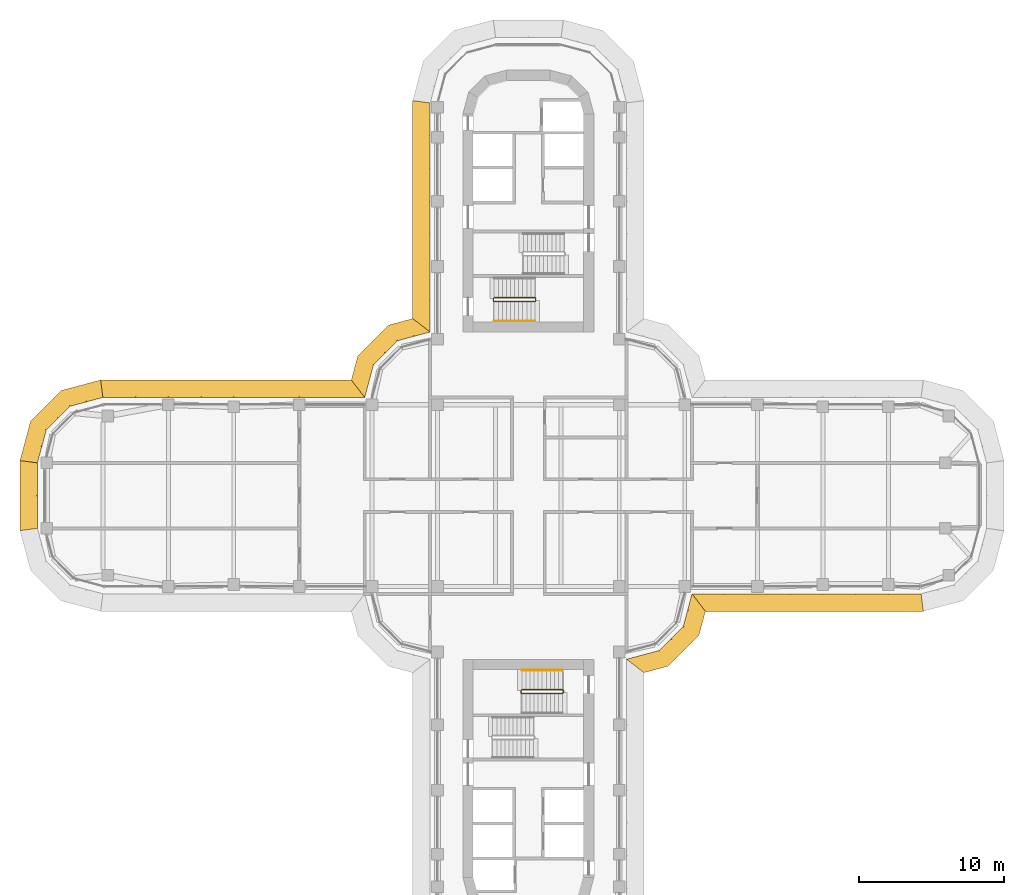
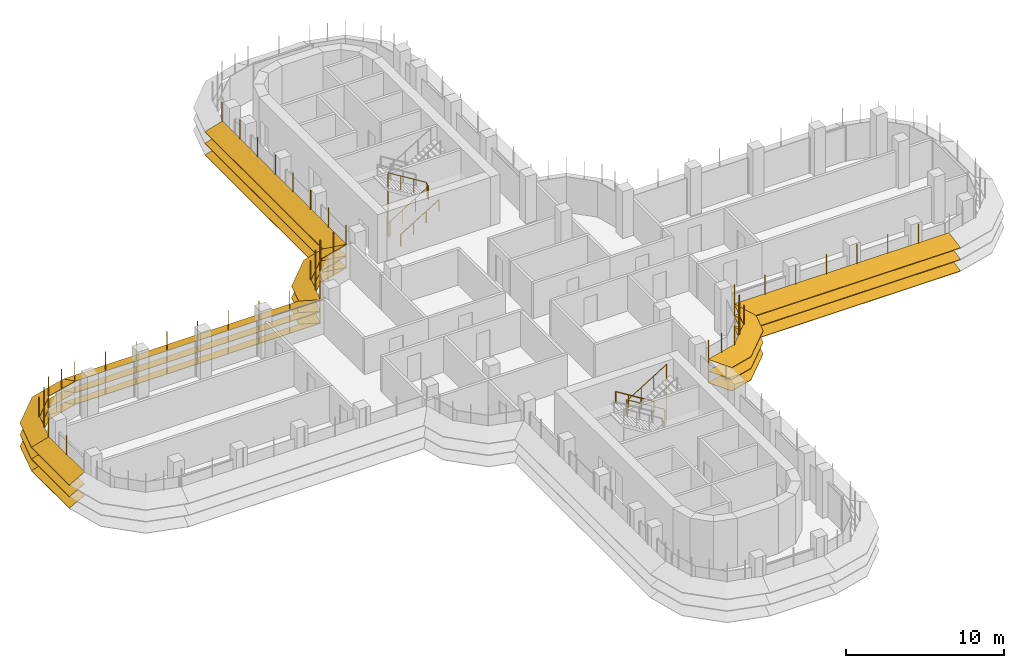
# One storey, part 18 of 20: 7 shading devices, 4 railings.
"""IFC4 building model written with IfcOpenShell, lengths in metres."""

import ifcopenshell
import ifcopenshell.guid

model = None  # the IFC model being written
_history = None  # IfcOwnerHistory: only IFC2X3 demands one
_inside = {}  # id of a spatial element -> (the spatial element, [elements in it])
_under = {}  # id of a project, library or spatial element -> (it, [spatial elements below it])
_declared = {}  # id of a project -> (the project, [libraries it declares])
_typed = {}  # id of a type object -> (the type object, [elements of that type])
_made_of = {}  # id of a material, layer set ... -> (it, [elements and type objects made of it])


def new_model(schema):
    """Start an empty IFC model of exactly this schema.

    Asked for "IFC4X3", IfcOpenShell would pick the latest addendum, in which some entities
    have other attributes; the version numbers below select the first issue.
    IFC2X3 requires an IfcOwnerHistory on every rooted entity: one is made here for all.
    """
    global model, _history
    if schema == "IFC4X3":
        model = ifcopenshell.file(schema_version=(4, 3, 0, 0))
    else:
        model = ifcopenshell.file(schema=schema)
    _inside.clear()
    _under.clear()
    _declared.clear()
    _typed.clear()
    _made_of.clear()
    _history = None
    if model.schema == "IFC2X3":
        org = make("IfcOrganization", Name="unknown")
        user = make(
            "IfcPersonAndOrganization",
            ThePerson=make("IfcPerson", FamilyName="unknown"),
            TheOrganization=org,
        )
        app = make(
            "IfcApplication",
            ApplicationDeveloper=org,
            Version="unknown",
            ApplicationFullName="unknown",
            ApplicationIdentifier="unknown",
        )
        _history = make(
            "IfcOwnerHistory",
            OwningUser=user,
            OwningApplication=app,
            ChangeAction="ADDED",
            CreationDate=0,
        )
    return model


def make(cls, **values):
    """One entity of the class cls with the attributes given. An attribute that is None is left unset."""
    return model.create_entity(
        cls, **{name: value for name, value in values.items() if value is not None}
    )


def rooted(cls, **values):
    """An entity with a GlobalId (a new one), such as an element, a storey or a relation."""
    return make(cls, GlobalId=ifcopenshell.guid.new(), OwnerHistory=_history, **values)


def si_unit(unit_type, name, prefix=None):
    """IfcSIUnit, for example si_unit("LENGTHUNIT", "METRE", prefix="MILLI")."""
    return make("IfcSIUnit", UnitType=unit_type, Prefix=prefix, Name=name)


def assignment(units):
    """IfcUnitAssignment: the units of a project."""
    return None if units is None else make("IfcUnitAssignment", Units=units)


def point(xyz):
    """IfcCartesianPoint."""
    return None if xyz is None else make("IfcCartesianPoint", Coordinates=xyz)


def direction(xyz):
    """IfcDirection."""
    return None if xyz is None else make("IfcDirection", DirectionRatios=xyz)


def frame(location, z_axis=None, x_axis=None):
    """IfcAxis2Placement3D, a coordinate frame: its origin and axes. An axis left out is left unset."""
    return make(
        "IfcAxis2Placement3D",
        Location=point(location),
        Axis=direction(z_axis),
        RefDirection=direction(x_axis),
    )


def frame_2d(location, x_axis=None):
    """IfcAxis2Placement2D, a coordinate frame in the plane: its origin and x axis."""
    return make(
        "IfcAxis2Placement2D", Location=point(location), RefDirection=direction(x_axis)
    )


def origin():
    """The frame at (0, 0, 0) with its axes left unset."""
    return frame((0.0, 0.0, 0.0))


def origin_2d():
    """The frame at (0, 0) in the plane with its x axis left unset."""
    return frame_2d((0.0, 0.0))


def place(relative_to, where):
    """IfcLocalPlacement: puts the frame where relative to a parent placement (None: the world)."""
    return make(
        "IfcLocalPlacement", PlacementRelTo=relative_to, RelativePlacement=where
    )


def context(
    kind, dimensions, precision=None, world=None, true_north=None, identifier=None
):
    """IfcGeometricRepresentationContext, for example the 3D "Model" context."""
    return make(
        "IfcGeometricRepresentationContext",
        ContextIdentifier=identifier,
        ContextType=kind,
        CoordinateSpaceDimension=dimensions,
        Precision=precision,
        WorldCoordinateSystem=world,
        TrueNorth=true_north,
    )


def subcontext(parent, identifier, kind, view, scale=None):
    """IfcGeometricRepresentationSubContext, for example "Body" below "Model"."""
    return make(
        "IfcGeometricRepresentationSubContext",
        ContextIdentifier=identifier,
        ContextType=kind,
        ParentContext=parent,
        TargetScale=scale,
        TargetView=view,
    )


def project(units=None, contexts=None):
    """IfcProject with its units and contexts."""
    return rooted(
        "IfcProject",
        Name="project",
        RepresentationContexts=contexts,
        UnitsInContext=assignment(units),
    )


def spatial(cls, under=None, at=None, **own):
    """A site, building, storey or space (cls), placed at a placement, below another one or the project."""
    s = rooted(cls, ObjectPlacement=at, **own)
    if under is not None:
        _under.setdefault(under.id(), (under, []))[1].append(s)
    return s


def polyline(points):
    """IfcPolyline through the points."""
    return make("IfcPolyline", Points=[point(p) for p in points])


def profile(cls, at=None, kind="AREA", **sizes):
    """A parametric profile (cls). Its sizes go by their IFC names, for example OverallWidth=200.0."""
    return make(cls, ProfileType=kind, Position=at, **sizes)


def circle(**sizes):
    """IfcCircleProfileDef."""
    return profile("IfcCircleProfileDef", **sizes)


def outline(outer, holes=None, kind="AREA"):
    """IfcArbitraryClosedProfileDef: a profile drawn as a closed curve; with holes, ...WithVoids."""
    if holes is None:
        return make("IfcArbitraryClosedProfileDef", ProfileType=kind, OuterCurve=outer)
    return make(
        "IfcArbitraryProfileDefWithVoids",
        ProfileType=kind,
        OuterCurve=outer,
        InnerCurves=holes,
    )


def extrude(swept, where, along, depth):
    """IfcExtrudedAreaSolid: the profile swept, set in the frame where, extruded along a direction by depth."""
    return make(
        "IfcExtrudedAreaSolid",
        SweptArea=swept,
        Position=where,
        ExtrudedDirection=direction(along),
        Depth=depth,
    )


def faces_of(points, faces, orient=None, outer=None):
    """IfcFace entities. A face is a list of loops; a loop is a list of indices into points, from 0.

    orient and outer hold one flag for each loop. By default every Orientation is true, the
    first loop of a face is its IfcFaceOuterBound and the others are IfcFaceBound.
    """
    made = []
    for i, loops in enumerate(faces):
        bounds = []
        for j, loop in enumerate(loops):
            is_outer = j == 0 if outer is None else outer[i][j]
            bounds.append(
                make(
                    "IfcFaceOuterBound" if is_outer else "IfcFaceBound",
                    Bound=make("IfcPolyLoop", Polygon=[points[k] for k in loop]),
                    Orientation=True if orient is None else orient[i][j],
                )
            )
        made.append(make("IfcFace", Bounds=bounds))
    return made


def faceted_brep(points, faces, orient=None, outer=None, voids=None):
    """IfcFacetedBrep: a solid bounded by flat faces; with voids (closed shells), ...WithVoids."""
    shared = [point(p) for p in points]
    hull = make("IfcClosedShell", CfsFaces=faces_of(shared, faces, orient, outer))
    if voids is None:
        return make("IfcFacetedBrep", Outer=hull)
    return make(
        "IfcFacetedBrepWithVoids",
        Outer=hull,
        Voids=[
            make(cls, CfsFaces=faces_of(shared, fs, o, b)) for cls, fs, o, b in voids
        ],
    )


def shape(context_of_items, identifier, shape_type, items):
    """IfcShapeRepresentation: the items that make up one representation, for example the "Body"."""
    return make(
        "IfcShapeRepresentation",
        ContextOfItems=context_of_items,
        RepresentationIdentifier=identifier,
        RepresentationType=shape_type,
        Items=items,
    )


def source(mapping_origin, context_of_items, identifier, shape_type, items):
    """IfcRepresentationMap: a shape defined once, which mapped items show again and again."""
    return make(
        "IfcRepresentationMap",
        MappingOrigin=mapping_origin,
        MappedRepresentation=shape(context_of_items, identifier, shape_type, items),
    )


def transform(
    local_origin,
    x_axis=None,
    y_axis=None,
    z_axis=None,
    scale=None,
    scale2=None,
    scale3=None,
    uniform=True,
):
    """IfcCartesianTransformationOperator3D, or its non-uniform kind. x_axis, y_axis, z_axis: its Axis1, 2, 3."""
    if uniform:
        return make(
            "IfcCartesianTransformationOperator3D",
            Axis1=direction(x_axis),
            Axis2=direction(y_axis),
            LocalOrigin=point(local_origin),
            Scale=scale,
            Axis3=direction(z_axis),
        )
    return make(
        "IfcCartesianTransformationOperator3DnonUniform",
        Axis1=direction(x_axis),
        Axis2=direction(y_axis),
        LocalOrigin=point(local_origin),
        Scale=scale,
        Axis3=direction(z_axis),
        Scale2=scale2,
        Scale3=scale3,
    )


def mapped(mapping_source, mapping_target):
    """IfcMappedItem: shows the shape of a source again, moved by a transform."""
    return make(
        "IfcMappedItem", MappingSource=mapping_source, MappingTarget=mapping_target
    )


def material(Name=None, Category=None):
    """IfcMaterial."""
    return make("IfcMaterial", Name=Name, Category=Category)


def made_of(thing, what):
    """Note that an element or type object is made of a material, layer set ...; save() writes the relation."""
    if what is not None:
        _made_of.setdefault(what.id(), (what, []))[1].append(thing)
    return thing


def type_object(cls, material=None, **own):
    """A type object (cls), such as IfcWallType, which elements share."""
    return made_of(rooted(cls, **own), material)


def element(
    cls,
    number,
    at=None,
    inside=None,
    cuts=None,
    type_object=None,
    material=None,
    context=None,
    identifier="Body",
    shape_type=None,
    held_by="IfcProductDefinitionShape",
    body=None,
    shapes=None,
    **own,
):
    """One element of the class cls, such as IfcWall. Its Tag is "e" and its number.

    at: its placement. inside: the storey or other place that contains it. cuts: it is an
    opening in that element (IfcRelVoidsElement). A single representation is given by context,
    identifier, shape_type and body (its items); several are given by shapes. held_by: the class
    of the entity that holds the representations. save() writes the other relations.
    """
    e = rooted(cls, Tag="e%d" % number, ObjectPlacement=at, **own)
    if body is not None:
        shapes = [shape(context, identifier, shape_type, body)]
    if shapes is not None:
        e.Representation = make(held_by, Representations=shapes)
    if inside is not None:
        _inside.setdefault(inside.id(), (inside, []))[1].append(e)
    if cuts is not None:
        rooted(
            "IfcRelVoidsElement", RelatingBuildingElement=cuts, RelatedOpeningElement=e
        )
    if type_object is not None:
        _typed.setdefault(type_object.id(), (type_object, []))[1].append(e)
    return made_of(e, material)


def aggregate(whole, parts):
    """IfcRelAggregates: a whole, such as a stair, and the parts it consists of."""
    return rooted("IfcRelAggregates", RelatingObject=whole, RelatedObjects=parts)


def save(model, path):
    """Write the relations noted so far, then the file.

    IfcRelAggregates (storeys below a building ...), IfcRelContainedInSpatialStructure (elements
    in a storey), IfcRelDefinesByType, IfcRelAssociatesMaterial and IfcRelDeclares: one each for
    every whole, place, type object, material and project.
    """
    for whole, parts in _under.values():
        aggregate(whole, parts)
    for where, things in _inside.values():
        rooted(
            "IfcRelContainedInSpatialStructure",
            RelatedElements=things,
            RelatingStructure=where,
        )
    for kind, things in _typed.values():
        rooted("IfcRelDefinesByType", RelatedObjects=things, RelatingType=kind)
    for what, things in _made_of.values():
        rooted("IfcRelAssociatesMaterial", RelatedObjects=things, RelatingMaterial=what)
    for by, libraries in _declared.values():
        rooted("IfcRelDeclares", RelatingContext=by, RelatedDefinitions=libraries)
    model.write(path)


model = new_model("IFC4")

# Units and contexts
model_context = context("Model", 3, precision=1e-05, world=origin(), true_north=direction((0.0, 1.0)))
body_context = subcontext(model_context, "Body", "Model", "MODEL_VIEW")
ifc_project = project(units=[si_unit("LENGTHUNIT", "METRE"), si_unit("AREAUNIT", "SQUARE_METRE"), si_unit("VOLUMEUNIT", "CUBIC_METRE"), si_unit("PLANEANGLEUNIT", "RADIAN"), si_unit("MASSUNIT", "GRAM", prefix="KILO")], contexts=[model_context])

# Site, building, storey
site_placement = place(None, origin())
site = spatial("IfcSite", under=ifc_project, at=site_placement, CompositionType="ELEMENT")
building_placement = place(site_placement, origin())
building = spatial("IfcBuilding", under=site, at=building_placement, Name="Zarbagh Exchange Tower", CompositionType="ELEMENT")
storey_placement = place(building_placement, frame((0.0, 0.0, 141.0)))
storey = spatial("IfcBuildingStorey", under=building, at=storey_placement, Name="L33", CompositionType="ELEMENT", Elevation=141.0)

# Railings
ifc_material_1 = material(Name="Stainless steel", Category="steel")
railing_type_1 = type_object("IfcRailingType", Name="Stair guard 1100 mm", PredefinedType="GUARDRAIL", material=ifc_material_1)
railing_1_placement = place(storey_placement, frame((0.5, 13.39990234375, 1.89990234375)))
element("IfcRailing", 1, at=railing_1_placement, inside=storey, type_object=railing_type_1, Name="ST2 stair guard 1", PredefinedType="GUARDRAIL", context=body_context, shape_type="SweptSolid", body=[
    extrude(circle(Radius=0.02392578125, at=origin_2d()), frame((0.0, 0.0, 1.076171875), z_axis=(0.0, 1.0, 0.0), x_axis=(-1.0, 0.0, 0.0)), (0.0, 0.0, 1.0), 0.150146484375),
    extrude(circle(Radius=0.02392578125, at=origin_2d()), frame((0.0, 0.150146484375, 1.076171875), z_axis=(-0.267953482034, 0.267953482034, 0.925419830635), x_axis=(-0.707106781187, -0.707106781187, 0.0)), (0.0, 0.0, 1.0), 0.186767578125),
    extrude(circle(Radius=0.02392578125, at=origin_2d()), frame((-0.050048828125, 0.2001953125, 1.2490234375), z_axis=(-0.851089632645, 0.0, 0.525020415988), x_axis=(0.0, -1.0, 0.0)), (0.0, 0.0, 1.0), 3.2900390625),
    extrude(circle(Radius=0.02392578125, at=origin_2d()), frame((-2.85009765625, 0.2001953125, 2.97607421875), z_axis=(-0.013104066473, -0.013168302093, -0.99982742474), x_axis=(0.708833529934, -0.705375805398, 0.0)), (0.0, 0.0, 1.0), 3.80078125),
    extrude(circle(Radius=0.02392578125, at=origin_2d()), frame((-2.89990234375, 0.150146484375, -0.82373046875), z_axis=(0.0, -1.0, 0.0), x_axis=(1.0, 0.0, 0.0)), (0.0, 0.0, 1.0), 0.150146484375),
    extrude(circle(Radius=0.02392578125, at=origin_2d()), frame((-2.89990234375, 0.0, -0.82373046875), z_axis=(0.26715648603, -0.26715648603, 0.925880566782), x_axis=(0.707106781187, 0.707106781187, 0.0)), (0.0, 0.0, 1.0), 0.1865234375),
    extrude(circle(Radius=0.02392578125, at=origin_2d()), frame((-2.85009765625, -0.0498046875, -0.6513671875), z_axis=(0.851089632645, 0.0, 0.525020415988), x_axis=(0.0, 1.0, 0.0)), (0.0, 0.0, 1.0), 3.2900390625),
    extrude(circle(Radius=0.02099609375, at=origin_2d()), origin(), (0.0, 0.0, 1.0), 1.052001953125),
    extrude(circle(Radius=0.02099609375, at=origin_2d()), frame((0.0, 0.150146484375, 0.0)), (0.0, 0.0, 1.0), 1.052001953125),
    extrude(circle(Radius=0.02099609375, at=origin_2d()), frame((-0.050048828125, 0.2001953125, 0.1728515625)), (0.0, 0.0, 1.0), 1.052001953125),
    extrude(circle(Radius=0.02099609375, at=origin_2d()), frame((-0.9833984375, 0.2001953125, 0.74853515625)), (0.0, 0.0, 1.0), 1.052001953125),
    extrude(circle(Radius=0.02099609375, at=origin_2d()), frame((-1.916748046875, 0.2001953125, 1.324462890625)), (0.0, 0.0, 1.0), 1.052001953125),
    extrude(circle(Radius=0.02099609375, at=origin_2d()), frame((-2.85009765625, 0.2001953125, 1.900146484375)), (0.0, 0.0, 1.0), 1.052001953125),
    extrude(circle(Radius=0.02099609375, at=origin_2d()), frame((-2.862548828125, 0.187744140625, 0.9501953125)), (0.0, 0.0, 1.0), 1.052001953125),
    extrude(circle(Radius=0.02099609375, at=origin_2d()), frame((-2.875, 0.17529296875, 0.0)), (0.0, 0.0, 1.0), 1.052001953125),
    extrude(circle(Radius=0.02099609375, at=origin_2d()), frame((-2.887451171875, 0.16259765625, -0.949951171875)), (0.0, 0.0, 1.0), 1.052001953125),
    extrude(circle(Radius=0.02099609375, at=origin_2d()), frame((-2.89990234375, 0.150146484375, -1.89990234375)), (0.0, 0.0, 1.0), 1.052001953125),
    extrude(circle(Radius=0.02099609375, at=origin_2d()), frame((-2.89990234375, 0.0, -1.89990234375)), (0.0, 0.0, 1.0), 1.052001953125),
    extrude(circle(Radius=0.02099609375, at=origin_2d()), frame((-2.85009765625, -0.0498046875, -1.727294921875)), (0.0, 0.0, 1.0), 1.052001953125),
    extrude(circle(Radius=0.02099609375, at=origin_2d()), frame((-1.916748046875, -0.0498046875, -1.151611328125)), (0.0, 0.0, 1.0), 1.052001953125),
    extrude(circle(Radius=0.02099609375, at=origin_2d()), frame((-0.9833984375, -0.0498046875, -0.57568359375)), (0.0, 0.0, 1.0), 1.052001953125),
    extrude(circle(Radius=0.02099609375, at=origin_2d()), frame((-0.050048828125, -0.0498046875, 0.0)), (0.0, 0.0, 1.0), 1.052001953125),
])
railing_2_placement = place(storey_placement, frame((-0.5, -13.39990234375, 1.89990234375)))
element("IfcRailing", 2, at=railing_2_placement, inside=storey, type_object=railing_type_1, Name="ST4 stair guard 1", PredefinedType="GUARDRAIL", context=body_context, shape_type="SweptSolid", body=[
    extrude(circle(Radius=0.02392578125, at=origin_2d()), frame((0.0, 0.0, 1.076171875), z_axis=(0.0, -1.0, 0.0), x_axis=(1.0, 0.0, 0.0)), (0.0, 0.0, 1.0), 0.150146484375),
    extrude(circle(Radius=0.02392578125, at=origin_2d()), frame((0.0, -0.150146484375, 1.076171875), z_axis=(0.267953482034, -0.267953482034, 0.925419830635), x_axis=(0.707106781187, 0.707106781187, 0.0)), (0.0, 0.0, 1.0), 0.186767578125),
    extrude(circle(Radius=0.02392578125, at=origin_2d()), frame((0.050048828125, -0.2001953125, 1.2490234375), z_axis=(0.851089632645, 0.0, 0.525020415988), x_axis=(0.0, 1.0, 0.0)), (0.0, 0.0, 1.0), 3.2900390625),
    extrude(circle(Radius=0.02392578125, at=origin_2d()), frame((2.85009765625, -0.2001953125, 2.97607421875), z_axis=(0.013104066473, 0.013168302093, -0.99982742474), x_axis=(-0.708833529934, 0.705375805398, 0.0)), (0.0, 0.0, 1.0), 3.80078125),
    extrude(circle(Radius=0.02392578125, at=origin_2d()), frame((2.89990234375, -0.150146484375, -0.82373046875), z_axis=(0.0, 1.0, 0.0), x_axis=(-1.0, 0.0, 0.0)), (0.0, 0.0, 1.0), 0.150146484375),
    extrude(circle(Radius=0.02392578125, at=origin_2d()), frame((2.89990234375, 0.0, -0.82373046875), z_axis=(-0.26715648603, 0.26715648603, 0.925880566782), x_axis=(-0.707106781187, -0.707106781187, 0.0)), (0.0, 0.0, 1.0), 0.1865234375),
    extrude(circle(Radius=0.02392578125, at=origin_2d()), frame((2.85009765625, 0.0498046875, -0.6513671875), z_axis=(-0.851089632645, 0.0, 0.525020415988), x_axis=(0.0, -1.0, 0.0)), (0.0, 0.0, 1.0), 3.2900390625),
    extrude(circle(Radius=0.02099609375, at=origin_2d()), origin(), (0.0, 0.0, 1.0), 1.052001953125),
    extrude(circle(Radius=0.02099609375, at=origin_2d()), frame((0.0, -0.150146484375, 0.0)), (0.0, 0.0, 1.0), 1.052001953125),
    extrude(circle(Radius=0.02099609375, at=origin_2d()), frame((0.050048828125, -0.2001953125, 0.1728515625)), (0.0, 0.0, 1.0), 1.052001953125),
    extrude(circle(Radius=0.02099609375, at=origin_2d()), frame((0.9833984375, -0.2001953125, 0.74853515625)), (0.0, 0.0, 1.0), 1.052001953125),
    extrude(circle(Radius=0.02099609375, at=origin_2d()), frame((1.916748046875, -0.2001953125, 1.324462890625)), (0.0, 0.0, 1.0), 1.052001953125),
    extrude(circle(Radius=0.02099609375, at=origin_2d()), frame((2.85009765625, -0.2001953125, 1.900146484375)), (0.0, 0.0, 1.0), 1.052001953125),
    extrude(circle(Radius=0.02099609375, at=origin_2d()), frame((2.862548828125, -0.187744140625, 0.9501953125)), (0.0, 0.0, 1.0), 1.052001953125),
    extrude(circle(Radius=0.02099609375, at=origin_2d()), frame((2.875, -0.17529296875, 0.0)), (0.0, 0.0, 1.0), 1.052001953125),
    extrude(circle(Radius=0.02099609375, at=origin_2d()), frame((2.887451171875, -0.16259765625, -0.949951171875)), (0.0, 0.0, 1.0), 1.052001953125),
    extrude(circle(Radius=0.02099609375, at=origin_2d()), frame((2.89990234375, -0.150146484375, -1.89990234375)), (0.0, 0.0, 1.0), 1.052001953125),
    extrude(circle(Radius=0.02099609375, at=origin_2d()), frame((2.89990234375, 0.0, -1.89990234375)), (0.0, 0.0, 1.0), 1.052001953125),
    extrude(circle(Radius=0.02099609375, at=origin_2d()), frame((2.85009765625, 0.0498046875, -1.727294921875)), (0.0, 0.0, 1.0), 1.052001953125),
    extrude(circle(Radius=0.02099609375, at=origin_2d()), frame((1.916748046875, 0.0498046875, -1.151611328125)), (0.0, 0.0, 1.0), 1.052001953125),
    extrude(circle(Radius=0.02099609375, at=origin_2d()), frame((0.9833984375, 0.0498046875, -0.57568359375)), (0.0, 0.0, 1.0), 1.052001953125),
    extrude(circle(Radius=0.02099609375, at=origin_2d()), frame((0.050048828125, 0.0498046875, 0.0)), (0.0, 0.0, 1.0), 1.052001953125),
])
railing_type_2 = type_object("IfcRailingType", Name="Stair handrail 900 mm", PredefinedType="HANDRAIL", material=ifc_material_1)
railing_3_placement = place(storey_placement, frame((-2.35009765625, 12.0, 0.172607421875)))
element("IfcRailing", 3, at=railing_3_placement, inside=storey, type_object=railing_type_2, Name="ST2 stair handrail 1", PredefinedType="HANDRAIL", context=body_context, shape_type="SweptSolid", body=[
    extrude(circle(Radius=0.02392578125, at=origin_2d()), frame((0.0, 0.0, 0.8759765625), z_axis=(0.851089632645, 0.0, 0.525020415988), x_axis=(0.0, 1.0, 0.0)), (0.0, 0.0, 1.0), 3.2900390625),
    extrude(circle(Radius=0.02099609375, at=origin_2d()), origin(), (0.0, 0.0, 1.0), 0.851806640625),
    extrude(circle(Radius=0.02099609375, at=origin_2d()), frame((0.933349609375, 0.0, 0.57568359375)), (0.0, 0.0, 1.0), 0.851806640625),
    extrude(circle(Radius=0.02099609375, at=origin_2d()), frame((1.86669921875, 0.0, 1.151611328125)), (0.0, 0.0, 1.0), 0.851806640625),
    extrude(circle(Radius=0.02099609375, at=origin_2d()), frame((2.800048828125, 0.0, 1.727294921875)), (0.0, 0.0, 1.0), 0.851806640625),
])
railing_4_placement = place(storey_placement, frame((2.35009765625, -12.0, 0.172607421875)))
element("IfcRailing", 4, at=railing_4_placement, inside=storey, type_object=railing_type_2, Name="ST4 stair handrail 1", PredefinedType="HANDRAIL", context=body_context, shape_type="SweptSolid", body=[
    extrude(circle(Radius=0.02392578125, at=origin_2d()), frame((0.0, 0.0, 0.8759765625), z_axis=(-0.851089632645, 0.0, 0.525020415988), x_axis=(0.0, -1.0, 0.0)), (0.0, 0.0, 1.0), 3.2900390625),
    extrude(circle(Radius=0.02099609375, at=origin_2d()), origin(), (0.0, 0.0, 1.0), 0.851806640625),
    extrude(circle(Radius=0.02099609375, at=origin_2d()), frame((-0.933349609375, 0.0, 0.57568359375)), (0.0, 0.0, 1.0), 0.851806640625),
    extrude(circle(Radius=0.02099609375, at=origin_2d()), frame((-1.86669921875, 0.0, 1.151611328125)), (0.0, 0.0, 1.0), 0.851806640625),
    extrude(circle(Radius=0.02099609375, at=origin_2d()), frame((-2.800048828125, 0.0, 1.727294921875)), (0.0, 0.0, 1.0), 0.851806640625),
])

# Shading devices
ifc_material_2 = material(Name="Anodised aluminium blades and brackets", Category="aluminium")
shading_device_type = type_object("IfcShadingDeviceType", Name="SUNSHADE louvre band, 22.5 degree blades", PredefinedType="JALOUSIE", material=ifc_material_2)
shared_shape_1 = source(origin(), body_context, "Body", "Brep", [
    faceted_brep([(0.0, 0.0, 0.0), (0.0, 0.0, -0.043212890625), (-0.157958984375, -1.199951171875, -0.540283203125), (-0.157958984375, -1.199951171875, -0.4970703125), (2.65087890625, -1.199951171875, -0.4970703125), (2.65087890625, -1.199951171875, -0.540283203125), (2.329345703125, 0.0, -0.043212890625), (2.329345703125, 0.0, 0.0)], [[[0, 1, 2, 3]], [[4, 5, 6, 7]], [[0, 7, 6, 1]], [[1, 6, 5, 2]], [[2, 5, 4, 3]], [[3, 4, 7, 0]]]),
])
shared_shape_2 = source(origin(), body_context, "Body", "Brep", [
    faceted_brep([(0.0, 0.0, 0.0), (0.0, 0.0, -0.043212890625), (-0.321533203125, -1.199951171875, -0.540283203125), (-0.321533203125, -1.199951171875, -0.4970703125), (2.65087890625, -1.199951171875, -0.4970703125), (2.65087890625, -1.199951171875, -0.540283203125), (2.329345703125, 0.0, -0.043212890625), (2.329345703125, 0.0, 0.0)], [[[0, 1, 2, 3]], [[4, 5, 6, 7]], [[0, 7, 6, 1]], [[1, 6, 5, 2]], [[2, 5, 4, 3]], [[3, 4, 7, 0]]]),
])
shared_shape_3 = source(origin(), body_context, "Body", "Brep", [
    faceted_brep([(0.0, 0.0, 0.0), (0.0, 0.0, -0.043212890625), (-0.321533203125, -1.199951171875, -0.540283203125), (-0.321533203125, -1.199951171875, -0.4970703125), (2.4873046875, -1.199951171875, -0.4970703125), (2.4873046875, -1.199951171875, -0.540283203125), (2.329345703125, 0.0, -0.043212890625), (2.329345703125, 0.0, 0.0)], [[[0, 1, 2, 3]], [[4, 5, 6, 7]], [[0, 7, 6, 1]], [[1, 6, 5, 2]], [[2, 5, 4, 3]], [[3, 4, 7, 0]]]),
])
shared_shape_4 = source(origin(), body_context, "Body", "SweptSolid", [
    extrude(outline(polyline([(0.0, -0.012451171875), (0.06005859375, -0.012451171875), (0.06005859375, 0.012451171875), (0.0, 0.012451171875), (0.0, -0.012451171875)])), origin(), (0.0, 0.0, 1.0), 3.353271484375),
])
placement = place(storey_placement, origin())
element("IfcShadingDevice", 5, at=placement, inside=storey, type_object=shading_device_type, Name="SS17 sunshade band", PredefinedType="JALOUSIE", context=body_context, shape_type="MappedRepresentation", body=[
    mapped(shared_shape_1, transform((-29.25, 6.75, 2.300048828125), x_axis=(-0.965924289636, -0.258824779902, 0.0), y_axis=(0.258824779902, -0.965924289636, 0.0), z_axis=(0.0, 0.0, 1.0))),
    mapped(shared_shape_1, transform((-29.25, 6.75, 1.39990234375), x_axis=(-0.965924289636, -0.258824779902, 0.0), y_axis=(0.258824779902, -0.965924289636, 0.0), z_axis=(0.0, 0.0, 1.0))),
    mapped(shared_shape_1, transform((-29.25, 6.75, 0.5), x_axis=(-0.965924289636, -0.258824779902, 0.0), y_axis=(0.258824779902, -0.965924289636, 0.0), z_axis=(0.0, 0.0, 1.0))),
    mapped(shared_shape_2, transform((-31.5, 6.147216796875, 2.300048828125), x_axis=(-0.707106781187, -0.707106781187, 0.0), y_axis=(0.707106781187, -0.707106781187, 0.0), z_axis=(0.0, 0.0, 1.0))),
    mapped(shared_shape_2, transform((-31.5, 6.147216796875, 1.39990234375), x_axis=(-0.707106781187, -0.707106781187, 0.0), y_axis=(0.707106781187, -0.707106781187, 0.0), z_axis=(0.0, 0.0, 1.0))),
    mapped(shared_shape_2, transform((-31.5, 6.147216796875, 0.5), x_axis=(-0.707106781187, -0.707106781187, 0.0), y_axis=(0.707106781187, -0.707106781187, 0.0), z_axis=(0.0, 0.0, 1.0))),
    mapped(shared_shape_3, transform((-33.147216796875, 4.5, 2.300048828125), x_axis=(-0.258824779902, -0.965924289636, 0.0), y_axis=(0.965924289636, -0.258824779902, 0.0), z_axis=(0.0, 0.0, 1.0))),
    mapped(shared_shape_3, transform((-33.147216796875, 4.5, 1.39990234375), x_axis=(-0.258824779902, -0.965924289636, 0.0), y_axis=(0.965924289636, -0.258824779902, 0.0), z_axis=(0.0, 0.0, 1.0))),
    mapped(shared_shape_3, transform((-33.147216796875, 4.5, 0.5), x_axis=(-0.258824779902, -0.965924289636, 0.0), y_axis=(0.965924289636, -0.258824779902, 0.0), z_axis=(0.0, 0.0, 1.0))),
    mapped(shared_shape_4, transform((-29.25, 6.75, 0.4267578125), x_axis=(-0.130529263012, 0.991444457092, 0.0), y_axis=(-0.991444457092, -0.130529263012, 0.0), z_axis=(0.0, 0.0, 1.0))),
    mapped(shared_shape_4, transform((-30.375, 6.448486328125, 0.4267578125), x_axis=(-0.258825058029, 0.96592421511, 0.0), y_axis=(-0.96592421511, -0.258825058029, 0.0), z_axis=(0.0, 0.0, 1.0))),
    mapped(shared_shape_4, transform((-31.5, 6.147216796875, 0.4267578125), x_axis=(-0.50000275701, 0.866023812018, 0.0), y_axis=(-0.866023812018, -0.50000275701, 0.0), z_axis=(0.0, 0.0, 1.0))),
    mapped(shared_shape_4, transform((-32.323486328125, 5.323486328125, 0.4267578125), x_axis=(-0.707106781187, 0.707106781187, 0.0), y_axis=(-0.707106781187, -0.707106781187, 0.0), z_axis=(0.0, 0.0, 1.0))),
    mapped(shared_shape_4, transform((-33.147216796875, 4.5, 0.4267578125), x_axis=(-0.866023812018, 0.50000275701, 0.0), y_axis=(-0.50000275701, -0.866023812018, 0.0), z_axis=(0.0, 0.0, 1.0))),
    mapped(shared_shape_4, transform((-33.448486328125, 3.375, 0.4267578125), x_axis=(-0.96592421511, 0.258825058029, 0.0), y_axis=(-0.258825058029, -0.96592421511, 0.0), z_axis=(0.0, 0.0, 1.0))),
])
shared_shape_5 = source(origin(), body_context, "Body", "Brep", [
    faceted_brep([(0.0, 0.0, 0.0), (0.0, 0.0, -0.043212890625), (0.9208984375, -1.199951171875, -0.540283203125), (0.9208984375, -1.199951171875, -0.4970703125), (2.65087890625, -1.199951171875, -0.4970703125), (2.65087890625, -1.199951171875, -0.540283203125), (2.329345703125, 0.0, -0.043212890625), (2.329345703125, 0.0, 0.0)], [[[0, 1, 2, 3]], [[4, 5, 6, 7]], [[0, 7, 6, 1]], [[1, 6, 5, 2]], [[2, 5, 4, 3]], [[3, 4, 7, 0]]]),
])
shared_shape_6 = source(origin(), body_context, "Body", "Brep", [
    faceted_brep([(0.0, 0.0, 0.0), (0.0, 0.0, -0.043212890625), (-0.321533203125, -1.199951171875, -0.540283203125), (-0.321533203125, -1.199951171875, -0.4970703125), (1.40869140625, -1.199951171875, -0.4970703125), (1.40869140625, -1.199951171875, -0.540283203125), (2.329345703125, 0.0, -0.043212890625), (2.329345703125, 0.0, 0.0)], [[[0, 1, 2, 3]], [[4, 5, 6, 7]], [[0, 7, 6, 1]], [[1, 6, 5, 2]], [[2, 5, 4, 3]], [[3, 4, 7, 0]]]),
])
element("IfcShadingDevice", 6, at=placement, inside=storey, type_object=shading_device_type, Name="SS03 sunshade band", PredefinedType="JALOUSIE", context=body_context, shape_type="MappedRepresentation", body=[
    mapped(shared_shape_5, transform((6.75, -11.25, 2.300048828125), x_axis=(0.965924289636, 0.258824779902, 0.0), y_axis=(-0.258824779902, 0.965924289636, 0.0), z_axis=(0.0, 0.0, 1.0))),
    mapped(shared_shape_5, transform((6.75, -11.25, 1.39990234375), x_axis=(0.965924289636, 0.258824779902, 0.0), y_axis=(-0.258824779902, 0.965924289636, 0.0), z_axis=(0.0, 0.0, 1.0))),
    mapped(shared_shape_5, transform((6.75, -11.25, 0.5), x_axis=(0.965924289636, 0.258824779902, 0.0), y_axis=(-0.258824779902, 0.965924289636, 0.0), z_axis=(0.0, 0.0, 1.0))),
    mapped(shared_shape_2, transform((9.0, -10.647216796875, 2.300048828125), x_axis=(0.707106781187, 0.707106781187, 0.0), y_axis=(-0.707106781187, 0.707106781187, 0.0), z_axis=(0.0, 0.0, 1.0))),
    mapped(shared_shape_2, transform((9.0, -10.647216796875, 1.39990234375), x_axis=(0.707106781187, 0.707106781187, 0.0), y_axis=(-0.707106781187, 0.707106781187, 0.0), z_axis=(0.0, 0.0, 1.0))),
    mapped(shared_shape_2, transform((9.0, -10.647216796875, 0.5), x_axis=(0.707106781187, 0.707106781187, 0.0), y_axis=(-0.707106781187, 0.707106781187, 0.0), z_axis=(0.0, 0.0, 1.0))),
    mapped(shared_shape_6, transform((10.647216796875, -9.0, 2.300048828125), x_axis=(0.258824779902, 0.965924289636, 0.0), y_axis=(-0.965924289636, 0.258824779902, 0.0), z_axis=(0.0, 0.0, 1.0))),
    mapped(shared_shape_6, transform((10.647216796875, -9.0, 1.39990234375), x_axis=(0.258824779902, 0.965924289636, 0.0), y_axis=(-0.965924289636, 0.258824779902, 0.0), z_axis=(0.0, 0.0, 1.0))),
    mapped(shared_shape_6, transform((10.647216796875, -9.0, 0.5), x_axis=(0.258824779902, 0.965924289636, 0.0), y_axis=(-0.965924289636, 0.258824779902, 0.0), z_axis=(0.0, 0.0, 1.0))),
    mapped(shared_shape_4, transform((6.75, -11.25, 0.4267578125), x_axis=(0.793355287, -0.608758892, 0.0), y_axis=(0.608758892, 0.793355287, 0.0), z_axis=(0.0, 0.0, 1.0))),
    mapped(shared_shape_4, transform((7.875, -10.948486328125, 0.4267578125), x_axis=(0.258825058029, -0.96592421511, 0.0), y_axis=(0.96592421511, 0.258825058029, 0.0), z_axis=(0.0, 0.0, 1.0))),
    mapped(shared_shape_4, transform((9.0, -10.647216796875, 0.4267578125), x_axis=(0.50000275701, -0.866023812018, 0.0), y_axis=(0.866023812018, 0.50000275701, 0.0), z_axis=(0.0, 0.0, 1.0))),
    mapped(shared_shape_4, transform((9.823486328125, -9.823486328125, 0.4267578125), x_axis=(0.707106781187, -0.707106781187, 0.0), y_axis=(0.707106781187, 0.707106781187, 0.0), z_axis=(0.0, 0.0, 1.0))),
    mapped(shared_shape_4, transform((10.647216796875, -9.0, 0.4267578125), x_axis=(0.866023812018, -0.50000275701, 0.0), y_axis=(0.50000275701, 0.866023812018, 0.0), z_axis=(0.0, 0.0, 1.0))),
    mapped(shared_shape_4, transform((10.948486328125, -7.875, 0.4267578125), x_axis=(0.96592421511, -0.258825058029, 0.0), y_axis=(0.258825058029, 0.96592421511, 0.0), z_axis=(0.0, 0.0, 1.0))),
])
element("IfcShadingDevice", 7, at=placement, inside=storey, type_object=shading_device_type, Name="SS15 sunshade band", PredefinedType="JALOUSIE", context=body_context, shape_type="MappedRepresentation", body=[
    mapped(shared_shape_5, transform((-6.75, 11.25, 2.300048828125), x_axis=(-0.965924289636, -0.258824779902, 0.0), y_axis=(0.258824779902, -0.965924289636, 0.0), z_axis=(0.0, 0.0, 1.0))),
    mapped(shared_shape_5, transform((-6.75, 11.25, 1.39990234375), x_axis=(-0.965924289636, -0.258824779902, 0.0), y_axis=(0.258824779902, -0.965924289636, 0.0), z_axis=(0.0, 0.0, 1.0))),
    mapped(shared_shape_5, transform((-6.75, 11.25, 0.5), x_axis=(-0.965924289636, -0.258824779902, 0.0), y_axis=(0.258824779902, -0.965924289636, 0.0), z_axis=(0.0, 0.0, 1.0))),
    mapped(shared_shape_2, transform((-9.0, 10.647216796875, 2.300048828125), x_axis=(-0.707106781187, -0.707106781187, 0.0), y_axis=(0.707106781187, -0.707106781187, 0.0), z_axis=(0.0, 0.0, 1.0))),
    mapped(shared_shape_2, transform((-9.0, 10.647216796875, 1.39990234375), x_axis=(-0.707106781187, -0.707106781187, 0.0), y_axis=(0.707106781187, -0.707106781187, 0.0), z_axis=(0.0, 0.0, 1.0))),
    mapped(shared_shape_2, transform((-9.0, 10.647216796875, 0.5), x_axis=(-0.707106781187, -0.707106781187, 0.0), y_axis=(0.707106781187, -0.707106781187, 0.0), z_axis=(0.0, 0.0, 1.0))),
    mapped(shared_shape_6, transform((-10.647216796875, 9.0, 2.300048828125), x_axis=(-0.258824779902, -0.965924289636, 0.0), y_axis=(0.965924289636, -0.258824779902, 0.0), z_axis=(0.0, 0.0, 1.0))),
    mapped(shared_shape_6, transform((-10.647216796875, 9.0, 1.39990234375), x_axis=(-0.258824779902, -0.965924289636, 0.0), y_axis=(0.965924289636, -0.258824779902, 0.0), z_axis=(0.0, 0.0, 1.0))),
    mapped(shared_shape_6, transform((-10.647216796875, 9.0, 0.5), x_axis=(-0.258824779902, -0.965924289636, 0.0), y_axis=(0.965924289636, -0.258824779902, 0.0), z_axis=(0.0, 0.0, 1.0))),
    mapped(shared_shape_4, transform((-6.75, 11.25, 0.4267578125), x_axis=(-0.793355287, 0.608758892, 0.0), y_axis=(-0.608758892, -0.793355287, 0.0), z_axis=(0.0, 0.0, 1.0))),
    mapped(shared_shape_4, transform((-7.875, 10.948486328125, 0.4267578125), x_axis=(-0.258825058029, 0.96592421511, 0.0), y_axis=(-0.96592421511, -0.258825058029, 0.0), z_axis=(0.0, 0.0, 1.0))),
    mapped(shared_shape_4, transform((-9.0, 10.647216796875, 0.4267578125), x_axis=(-0.50000275701, 0.866023812018, 0.0), y_axis=(-0.866023812018, -0.50000275701, 0.0), z_axis=(0.0, 0.0, 1.0))),
    mapped(shared_shape_4, transform((-9.823486328125, 9.823486328125, 0.4267578125), x_axis=(-0.707106781187, 0.707106781187, 0.0), y_axis=(-0.707106781187, -0.707106781187, 0.0), z_axis=(0.0, 0.0, 1.0))),
    mapped(shared_shape_4, transform((-10.647216796875, 9.0, 0.4267578125), x_axis=(-0.866023812018, 0.50000275701, 0.0), y_axis=(-0.50000275701, -0.866023812018, 0.0), z_axis=(0.0, 0.0, 1.0))),
    mapped(shared_shape_4, transform((-10.948486328125, 7.875, 0.4267578125), x_axis=(-0.96592421511, 0.258825058029, 0.0), y_axis=(-0.258825058029, -0.96592421511, 0.0), z_axis=(0.0, 0.0, 1.0))),
])
shared_shape_7 = source(origin(), body_context, "Body", "Brep", [
    faceted_brep([(0.0, 0.0, 0.0), (0.0, 0.0, -0.043212890625), (0.9208984375, -1.199951171875, -0.540283203125), (0.9208984375, -1.199951171875, -0.4970703125), (15.907958984375, -1.199951171875, -0.4970703125), (15.907958984375, -1.199951171875, -0.540283203125), (15.75, 0.0, -0.043212890625), (15.75, 0.0, 0.0)], [[[0, 1, 2, 3]], [[4, 5, 6, 7]], [[0, 7, 6, 1]], [[1, 6, 5, 2]], [[2, 5, 4, 3]], [[3, 4, 7, 0]]]),
])
element("IfcShadingDevice", 8, at=placement, inside=storey, type_object=shading_device_type, Name="SS30 sunshade band", PredefinedType="JALOUSIE", context=body_context, shape_type="MappedRepresentation", body=[
    mapped(shared_shape_7, transform((11.25, -6.75, 2.300048828125), x_axis=(1.0, 0.0, 0.0), y_axis=(0.0, 1.0, 0.0), z_axis=(0.0, 0.0, 1.0))),
    mapped(shared_shape_7, transform((11.25, -6.75, 1.39990234375), x_axis=(1.0, 0.0, 0.0), y_axis=(0.0, 1.0, 0.0), z_axis=(0.0, 0.0, 1.0))),
    mapped(shared_shape_7, transform((11.25, -6.75, 0.5), x_axis=(1.0, 0.0, 0.0), y_axis=(0.0, 1.0, 0.0), z_axis=(0.0, 0.0, 1.0))),
    mapped(shared_shape_4, transform((11.25, -6.75, 0.4267578125), x_axis=(0.608758892, -0.793355287, 0.0), y_axis=(0.793355287, 0.608758892, 0.0), z_axis=(0.0, 0.0, 1.0))),
    mapped(shared_shape_4, transform((13.5, -6.75, 0.4267578125), x_axis=(0.0, -1.0, 0.0), y_axis=(1.0, 0.0, 0.0), z_axis=(0.0, 0.0, 1.0))),
    mapped(shared_shape_4, transform((15.75, -6.75, 0.4267578125), x_axis=(0.0, -1.0, 0.0), y_axis=(1.0, 0.0, 0.0), z_axis=(0.0, 0.0, 1.0))),
    mapped(shared_shape_4, transform((18.0, -6.75, 0.4267578125), x_axis=(0.0, -1.0, 0.0), y_axis=(1.0, 0.0, 0.0), z_axis=(0.0, 0.0, 1.0))),
    mapped(shared_shape_4, transform((20.25, -6.75, 0.4267578125), x_axis=(0.0, -1.0, 0.0), y_axis=(1.0, 0.0, 0.0), z_axis=(0.0, 0.0, 1.0))),
    mapped(shared_shape_4, transform((22.5, -6.75, 0.4267578125), x_axis=(0.0, -1.0, 0.0), y_axis=(1.0, 0.0, 0.0), z_axis=(0.0, 0.0, 1.0))),
    mapped(shared_shape_4, transform((24.75, -6.75, 0.4267578125), x_axis=(0.0, -1.0, 0.0), y_axis=(1.0, 0.0, 0.0), z_axis=(0.0, 0.0, 1.0))),
])
shared_shape_8 = source(origin(), body_context, "Body", "Brep", [
    faceted_brep([(0.0, 0.0, 0.0), (0.0, 0.0, -0.043212890625), (-0.157958984375, -1.199951171875, -0.540283203125), (-0.157958984375, -1.199951171875, -0.4970703125), (14.8291015625, -1.199951171875, -0.4970703125), (14.8291015625, -1.199951171875, -0.540283203125), (15.75, 0.0, -0.043212890625), (15.75, 0.0, 0.0)], [[[0, 1, 2, 3]], [[4, 5, 6, 7]], [[0, 7, 6, 1]], [[1, 6, 5, 2]], [[2, 5, 4, 3]], [[3, 4, 7, 0]]]),
])
element("IfcShadingDevice", 9, at=placement, inside=storey, type_object=shading_device_type, Name="SS29 sunshade band", PredefinedType="JALOUSIE", context=body_context, shape_type="MappedRepresentation", body=[
    mapped(shared_shape_8, transform((-6.75, 27.0, 2.300048828125), x_axis=(0.0, -1.0, 0.0), y_axis=(1.0, 0.0, 0.0), z_axis=(0.0, 0.0, 1.0))),
    mapped(shared_shape_8, transform((-6.75, 27.0, 1.39990234375), x_axis=(0.0, -1.0, 0.0), y_axis=(1.0, 0.0, 0.0), z_axis=(0.0, 0.0, 1.0))),
    mapped(shared_shape_8, transform((-6.75, 27.0, 0.5), x_axis=(0.0, -1.0, 0.0), y_axis=(1.0, 0.0, 0.0), z_axis=(0.0, 0.0, 1.0))),
    mapped(shared_shape_4, transform((-6.75, 27.0, 0.4267578125), x_axis=(-0.991444457092, 0.130529263012, 0.0), y_axis=(-0.130529263012, -0.991444457092, 0.0), z_axis=(0.0, 0.0, 1.0))),
    mapped(shared_shape_4, transform((-6.75, 24.75, 0.4267578125), x_axis=(-1.0, 0.0, 0.0), y_axis=(0.0, -1.0, 0.0), z_axis=(0.0, 0.0, 1.0))),
    mapped(shared_shape_4, transform((-6.75, 22.5, 0.4267578125), x_axis=(-1.0, 0.0, 0.0), y_axis=(0.0, -1.0, 0.0), z_axis=(0.0, 0.0, 1.0))),
    mapped(shared_shape_4, transform((-6.75, 20.25, 0.4267578125), x_axis=(-1.0, 0.0, 0.0), y_axis=(0.0, -1.0, 0.0), z_axis=(0.0, 0.0, 1.0))),
    mapped(shared_shape_4, transform((-6.75, 18.0, 0.4267578125), x_axis=(-1.0, 0.0, 0.0), y_axis=(0.0, -1.0, 0.0), z_axis=(0.0, 0.0, 1.0))),
    mapped(shared_shape_4, transform((-6.75, 15.75, 0.4267578125), x_axis=(-1.0, 0.0, 0.0), y_axis=(0.0, -1.0, 0.0), z_axis=(0.0, 0.0, 1.0))),
    mapped(shared_shape_4, transform((-6.75, 13.5, 0.4267578125), x_axis=(-1.0, 0.0, 0.0), y_axis=(0.0, -1.0, 0.0), z_axis=(0.0, 0.0, 1.0))),
])
shared_shape_9 = source(origin(), body_context, "Body", "Brep", [
    faceted_brep([(0.0, 0.0, 0.0), (0.0, 0.0, -0.043212890625), (0.9208984375, -1.199951171875, -0.540283203125), (0.9208984375, -1.199951171875, -0.4970703125), (18.157958984375, -1.199951171875, -0.4970703125), (18.157958984375, -1.199951171875, -0.540283203125), (18.0, 0.0, -0.043212890625), (18.0, 0.0, 0.0)], [[[0, 1, 2, 3]], [[4, 5, 6, 7]], [[0, 7, 6, 1]], [[1, 6, 5, 2]], [[2, 5, 4, 3]], [[3, 4, 7, 0]]]),
])
element("IfcShadingDevice", 10, at=placement, inside=storey, type_object=shading_device_type, Name="SS16 sunshade band", PredefinedType="JALOUSIE", context=body_context, shape_type="MappedRepresentation", body=[
    mapped(shared_shape_9, transform((-11.25, 6.75, 2.300048828125), x_axis=(-1.0, 0.0, 0.0), y_axis=(0.0, -1.0, 0.0), z_axis=(0.0, 0.0, 1.0))),
    mapped(shared_shape_9, transform((-11.25, 6.75, 1.39990234375), x_axis=(-1.0, 0.0, 0.0), y_axis=(0.0, -1.0, 0.0), z_axis=(0.0, 0.0, 1.0))),
    mapped(shared_shape_9, transform((-11.25, 6.75, 0.5), x_axis=(-1.0, 0.0, 0.0), y_axis=(0.0, -1.0, 0.0), z_axis=(0.0, 0.0, 1.0))),
    mapped(shared_shape_4, transform((-11.25, 6.75, 0.4267578125), x_axis=(-0.608758892, 0.793355287, 0.0), y_axis=(-0.793355287, -0.608758892, 0.0), z_axis=(0.0, 0.0, 1.0))),
    mapped(shared_shape_4, transform((-13.5, 6.75, 0.4267578125), x_axis=(0.0, 1.0, 0.0), y_axis=(-1.0, 0.0, 0.0), z_axis=(0.0, 0.0, 1.0))),
    mapped(shared_shape_4, transform((-15.75, 6.75, 0.4267578125), x_axis=(0.0, 1.0, 0.0), y_axis=(-1.0, 0.0, 0.0), z_axis=(0.0, 0.0, 1.0))),
    mapped(shared_shape_4, transform((-18.0, 6.75, 0.4267578125), x_axis=(0.0, 1.0, 0.0), y_axis=(-1.0, 0.0, 0.0), z_axis=(0.0, 0.0, 1.0))),
    mapped(shared_shape_4, transform((-20.25, 6.75, 0.4267578125), x_axis=(0.0, 1.0, 0.0), y_axis=(-1.0, 0.0, 0.0), z_axis=(0.0, 0.0, 1.0))),
    mapped(shared_shape_4, transform((-22.5, 6.75, 0.4267578125), x_axis=(0.0, 1.0, 0.0), y_axis=(-1.0, 0.0, 0.0), z_axis=(0.0, 0.0, 1.0))),
    mapped(shared_shape_4, transform((-24.75, 6.75, 0.4267578125), x_axis=(0.0, 1.0, 0.0), y_axis=(-1.0, 0.0, 0.0), z_axis=(0.0, 0.0, 1.0))),
    mapped(shared_shape_4, transform((-27.0, 6.75, 0.4267578125), x_axis=(0.0, 1.0, 0.0), y_axis=(-1.0, 0.0, 0.0), z_axis=(0.0, 0.0, 1.0))),
])
shared_shape_10 = source(origin(), body_context, "Body", "Brep", [
    faceted_brep([(0.0, 0.0, 0.0), (0.0, 0.0, -0.043212890625), (-0.157958984375, -1.199951171875, -0.540283203125), (-0.157958984375, -1.199951171875, -0.4970703125), (4.657958984375, -1.199951171875, -0.4970703125), (4.657958984375, -1.199951171875, -0.540283203125), (4.5, 0.0, -0.043212890625), (4.5, 0.0, 0.0)], [[[0, 1, 2, 3]], [[4, 5, 6, 7]], [[0, 7, 6, 1]], [[1, 6, 5, 2]], [[2, 5, 4, 3]], [[3, 4, 7, 0]]]),
])
element("IfcShadingDevice", 11, at=placement, inside=storey, type_object=shading_device_type, Name="SS18 sunshade band", PredefinedType="JALOUSIE", context=body_context, shape_type="MappedRepresentation", body=[
    mapped(shared_shape_10, transform((-33.75, 2.25, 2.300048828125), x_axis=(0.0, -1.0, 0.0), y_axis=(1.0, 0.0, 0.0), z_axis=(0.0, 0.0, 1.0))),
    mapped(shared_shape_10, transform((-33.75, 2.25, 1.39990234375), x_axis=(0.0, -1.0, 0.0), y_axis=(1.0, 0.0, 0.0), z_axis=(0.0, 0.0, 1.0))),
    mapped(shared_shape_10, transform((-33.75, 2.25, 0.5), x_axis=(0.0, -1.0, 0.0), y_axis=(1.0, 0.0, 0.0), z_axis=(0.0, 0.0, 1.0))),
    mapped(shared_shape_4, transform((-33.75, 2.25, 0.4267578125), x_axis=(-0.991444457092, 0.130529263012, 0.0), y_axis=(-0.130529263012, -0.991444457092, 0.0), z_axis=(0.0, 0.0, 1.0))),
    mapped(shared_shape_4, transform((-33.75, 0.0, 0.4267578125), x_axis=(-1.0, 0.0, 0.0), y_axis=(0.0, -1.0, 0.0), z_axis=(0.0, 0.0, 1.0))),
])

save(model, "model.ifc")
